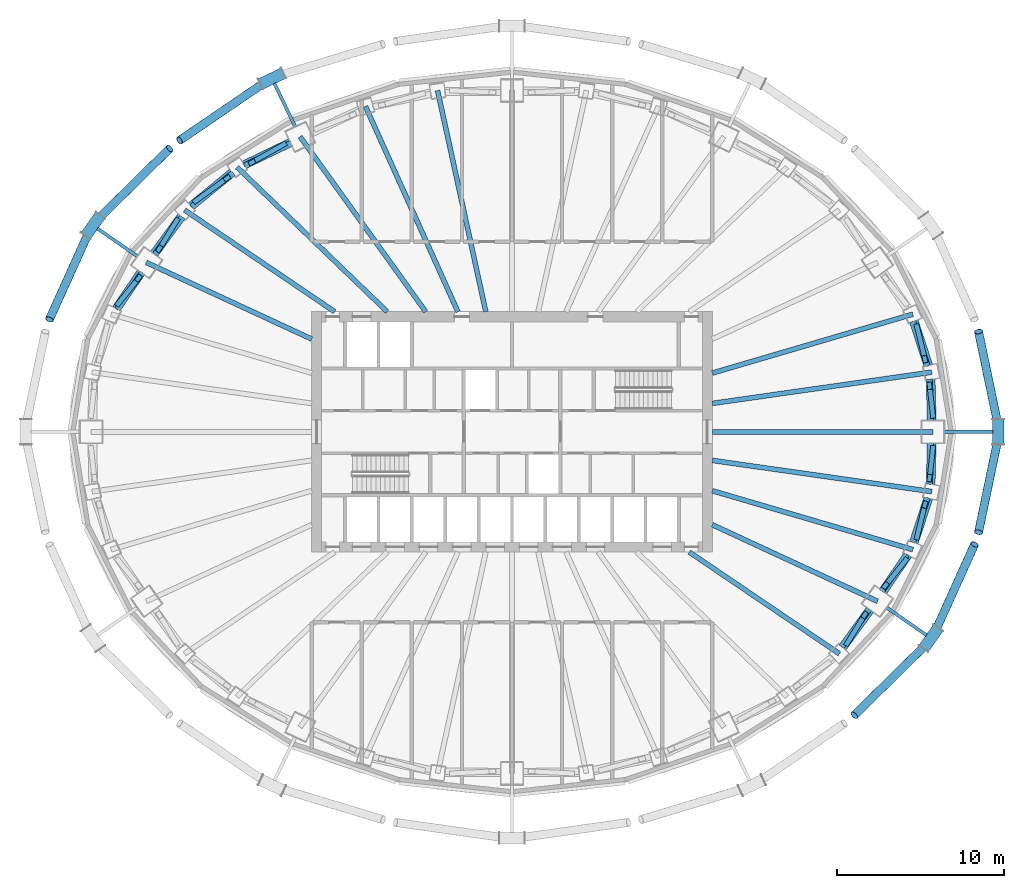
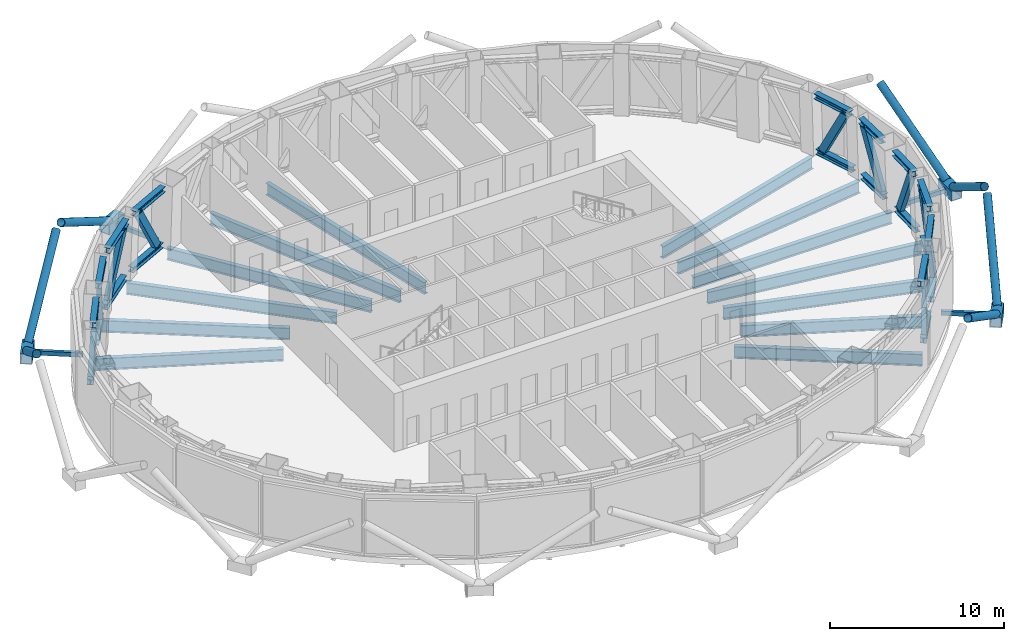
# One storey, part 3 of 18: 33 beams, 25 members.
"""IFC4 building model written with IfcOpenShell, lengths in metres."""

from ifc_helpers import new_model, si_unit, direction, frame, origin, origin_2d, place, context, subcontext, project, spatial, hollow_rectangle, hollow_circle, i_section, extrude, material, material_profile, profile_set, type_object, element, save


model = new_model("IFC4")

# Units and contexts
model_context = context("Model", 3, precision=1e-05, world=origin(), true_north=direction((0.0, 1.0)))
body_context = subcontext(model_context, "Body", "Model", "MODEL_VIEW")
ifc_project = project(units=[si_unit("LENGTHUNIT", "METRE"), si_unit("AREAUNIT", "SQUARE_METRE"), si_unit("VOLUMEUNIT", "CUBIC_METRE"), si_unit("PLANEANGLEUNIT", "RADIAN"), si_unit("MASSUNIT", "GRAM", prefix="KILO")], contexts=[model_context])

# Site, building, storey
site_placement = place(None, origin())
site = spatial("IfcSite", under=ifc_project, at=site_placement, CompositionType="ELEMENT")
building_placement = place(site_placement, origin())
building = spatial("IfcBuilding", under=site, at=building_placement, Name="Siaravel Broadcast Tower", CompositionType="ELEMENT")
storey_placement = place(building_placement, frame((0.0, 0.0, 92.60009765625)))
storey = spatial("IfcBuildingStorey", under=building, at=storey_placement, Name="L21", CompositionType="ELEMENT", Elevation=92.60009765625)

# Beams
ifc_material_1 = material(Name="Steel S355", Category="steel")
ifc_material_profile_1 = material_profile(ifc_material_1, i_section(OverallWidth=0.291748046875, OverallDepth=0.8349609375, WebThickness=0.013916015625, FlangeThickness=0.018798828125, FilletRadius=0.017822265625, at=origin_2d()))
ifc_profile_set_1 = profile_set([ifc_material_profile_1], Name="Steel S355")
beam_type_1 = type_object("IfcBeamType", Name="BM-UB 838x292x176", PredefinedType="BEAM", material=ifc_profile_set_1)
beam_1_placement = place(storey_placement, frame((25.2373046875, 0.0, -0.817626953125), z_axis=(-1.0, 0.0, 0.0), x_axis=(0.0, -1.0, 0.0)))
element("IfcBeam", 1, at=beam_1_placement, inside=storey, type_object=beam_type_1, Name="Radial beam RB01", PredefinedType="BEAM", context=body_context, shape_type="SweptSolid", body=[
    extrude(i_section(OverallWidth=0.291748046875, OverallDepth=0.8349609375, WebThickness=0.013916015625, FlangeThickness=0.018798828125, FilletRadius=0.017822265625, at=origin_2d()), origin(), (0.0, 0.0, 1.0), 13.2373046875),
])
beam_2_placement = place(storey_placement, frame((25.155029296875, 3.577880859375, -0.817626953125), z_axis=(-0.990035666, -0.140816832, 0.0), x_axis=(0.140816832, -0.990035666, 0.0)))
element("IfcBeam", 2, at=beam_2_placement, inside=storey, type_object=beam_type_1, Name="Radial beam RB02", PredefinedType="BEAM", context=body_context, shape_type="SweptSolid", body=[
    extrude(i_section(OverallWidth=0.291748046875, OverallDepth=0.8349609375, WebThickness=0.013916015625, FlangeThickness=0.018798828125, FilletRadius=0.017822265625, at=origin_2d()), origin(), (0.0, 0.0, 1.0), 13.287353515625),
])
beam_3_placement = place(storey_placement, frame((24.017822265625, 7.0537109375, -0.817626953125), z_axis=(-0.959475922, -0.281790623, 0.0), x_axis=(0.281790623, -0.959475922, 0.0)))
element("IfcBeam", 3, at=beam_3_placement, inside=storey, type_object=beam_type_1, Name="Radial beam RB03", PredefinedType="BEAM", context=body_context, shape_type="SweptSolid", body=[
    extrude(i_section(OverallWidth=0.291748046875, OverallDepth=0.8349609375, WebThickness=0.013916015625, FlangeThickness=0.018798828125, FilletRadius=0.017822265625, at=origin_2d()), origin(), (0.0, 0.0, 1.0), 12.525390625),
])
beam_4_placement = place(storey_placement, frame((-4.458984375, 20.45361328125, -0.817626953125), z_axis=(0.213004955, -0.977051119, 0.0), x_axis=(0.977051119, 0.213004955, 0.0)))
element("IfcBeam", 4, at=beam_4_placement, inside=storey, type_object=beam_type_1, Name="Radial beam RB11", PredefinedType="BEAM", context=body_context, shape_type="SweptSolid", body=[
    extrude(i_section(OverallWidth=0.291748046875, OverallDepth=0.8349609375, WebThickness=0.013916015625, FlangeThickness=0.018798828125, FilletRadius=0.017822265625, at=origin_2d()), origin(), (0.0, 0.0, 1.0), 13.56494140625),
])
beam_5_placement = place(storey_placement, frame((-8.779296875, 19.505615234375, -0.817626953125), z_axis=(0.410427866, -0.911893068, 0.0), x_axis=(0.911893068, 0.410427866, 0.0)))
element("IfcBeam", 5, at=beam_5_placement, inside=storey, type_object=beam_type_1, Name="Radial beam RB12", PredefinedType="BEAM", context=body_context, shape_type="SweptSolid", body=[
    extrude(i_section(OverallWidth=0.291748046875, OverallDepth=0.8349609375, WebThickness=0.013916015625, FlangeThickness=0.018798828125, FilletRadius=0.017822265625, at=origin_2d()), origin(), (0.0, 0.0, 1.0), 13.49462890625),
])
beam_6_placement = place(storey_placement, frame((-12.698486328125, 17.688720703125, -0.817626953125), z_axis=(0.58317543, -0.812346243, 0.0), x_axis=(0.812346243, 0.58317543, 0.0)))
element("IfcBeam", 6, at=beam_6_placement, inside=storey, type_object=beam_type_1, Name="Radial beam RB13", PredefinedType="BEAM", context=body_context, shape_type="SweptSolid", body=[
    extrude(i_section(OverallWidth=0.291748046875, OverallDepth=0.8349609375, WebThickness=0.013916015625, FlangeThickness=0.018798828125, FilletRadius=0.017822265625, at=origin_2d()), origin(), (0.0, 0.0, 1.0), 12.91162109375),
])
beam_7_placement = place(storey_placement, frame((-16.476318359375, 15.86669921875, -0.817626953125), z_axis=(0.720307557, -0.69365483, 0.0), x_axis=(0.69365483, 0.720307557, 0.0)))
element("IfcBeam", 7, at=beam_7_placement, inside=storey, type_object=beam_type_1, Name="Radial beam RB14", PredefinedType="BEAM", context=body_context, shape_type="SweptSolid", body=[
    extrude(i_section(OverallWidth=0.291748046875, OverallDepth=0.8349609375, WebThickness=0.013916015625, FlangeThickness=0.018798828125, FilletRadius=0.017822265625, at=origin_2d()), origin(), (0.0, 0.0, 1.0), 12.494384765625),
])
beam_8_placement = place(storey_placement, frame((-19.61669921875, 13.29443359375, -0.817626953125), z_axis=(0.827804556, -0.561016592, 0.0), x_axis=(0.561016592, 0.827804556, 0.0)))
element("IfcBeam", 8, at=beam_8_placement, inside=storey, type_object=beam_type_1, Name="Radial beam RB15", PredefinedType="BEAM", context=body_context, shape_type="SweptSolid", body=[
    extrude(i_section(OverallWidth=0.291748046875, OverallDepth=0.8349609375, WebThickness=0.013916015625, FlangeThickness=0.018798828125, FilletRadius=0.017822265625, at=origin_2d()), origin(), (0.0, 0.0, 1.0), 10.86328125),
])
beam_9_placement = place(storey_placement, frame((-21.90966796875, 10.15283203125, -0.817626953125), z_axis=(0.907319134, -0.420442611, 0.0), x_axis=(0.420442611, 0.907319134, 0.0)))
element("IfcBeam", 9, at=beam_9_placement, inside=storey, type_object=beam_type_1, Name="Radial beam RB16", PredefinedType="BEAM", context=body_context, shape_type="SweptSolid", body=[
    extrude(i_section(OverallWidth=0.291748046875, OverallDepth=0.8349609375, WebThickness=0.013916015625, FlangeThickness=0.018798828125, FilletRadius=0.017822265625, at=origin_2d()), origin(), (0.0, 0.0, 1.0), 10.921875),
])
beam_10_placement = place(storey_placement, frame((19.61669921875, -13.29443359375, -0.817626953125), z_axis=(-0.827804556, 0.561016592, 0.0), x_axis=(-0.561016592, -0.827804556, 0.0)))
element("IfcBeam", 10, at=beam_10_placement, inside=storey, type_object=beam_type_1, Name="Radial beam RB33", PredefinedType="BEAM", context=body_context, shape_type="SweptSolid", body=[
    extrude(i_section(OverallWidth=0.291748046875, OverallDepth=0.8349609375, WebThickness=0.013916015625, FlangeThickness=0.018798828125, FilletRadius=0.017822265625, at=origin_2d()), origin(), (0.0, 0.0, 1.0), 10.86328125),
])
beam_11_placement = place(storey_placement, frame((21.90966796875, -10.15283203125, -0.817626953125), z_axis=(-0.907319134, 0.420442611, 0.0), x_axis=(-0.420442611, -0.907319134, 0.0)))
element("IfcBeam", 11, at=beam_11_placement, inside=storey, type_object=beam_type_1, Name="Radial beam RB34", PredefinedType="BEAM", context=body_context, shape_type="SweptSolid", body=[
    extrude(i_section(OverallWidth=0.291748046875, OverallDepth=0.8349609375, WebThickness=0.013916015625, FlangeThickness=0.018798828125, FilletRadius=0.017822265625, at=origin_2d()), origin(), (0.0, 0.0, 1.0), 10.921875),
])
beam_12_placement = place(storey_placement, frame((24.017822265625, -7.0537109375, -0.817626953125), z_axis=(-0.959475922, 0.281790623, 0.0), x_axis=(-0.281790623, -0.959475922, 0.0)))
element("IfcBeam", 12, at=beam_12_placement, inside=storey, type_object=beam_type_1, Name="Radial beam RB35", PredefinedType="BEAM", context=body_context, shape_type="SweptSolid", body=[
    extrude(i_section(OverallWidth=0.291748046875, OverallDepth=0.8349609375, WebThickness=0.013916015625, FlangeThickness=0.018798828125, FilletRadius=0.017822265625, at=origin_2d()), origin(), (0.0, 0.0, 1.0), 12.525390625),
])
beam_13_placement = place(storey_placement, frame((25.155029296875, -3.577880859375, -0.817626953125), z_axis=(-0.990035666, 0.140816832, 0.0), x_axis=(-0.140816832, -0.990035666, 0.0)))
element("IfcBeam", 13, at=beam_13_placement, inside=storey, type_object=beam_type_1, Name="Radial beam RB36", PredefinedType="BEAM", context=body_context, shape_type="SweptSolid", body=[
    extrude(i_section(OverallWidth=0.291748046875, OverallDepth=0.8349609375, WebThickness=0.013916015625, FlangeThickness=0.018798828125, FilletRadius=0.017822265625, at=origin_2d()), origin(), (0.0, 0.0, 1.0), 13.287353515625),
])
ifc_material_2 = material(Name="Steel S460", Category="steel")
ifc_material_profile_2 = material_profile(ifc_material_2, i_section(OverallWidth=0.374755859375, OverallDepth=0.37451171875, WebThickness=0.0166015625, FlangeThickness=0.027099609375, FilletRadius=0.01513671875, at=origin_2d()))
ifc_profile_set_2 = profile_set([ifc_material_profile_2], Name="Steel S460")
beam_type_2 = type_object("IfcBeamType", Name="Belt truss chord UC 356x368x202", PredefinedType="BEAM", material=ifc_profile_set_2)
beam_14_placement = place(storey_placement, frame((25.221923828125, 0.669921875, 0.187255859375), z_axis=(-0.022955386, 0.99973649, 0.0), x_axis=(-0.99973649, -0.022955386, 0.0)))
element("IfcBeam", 14, at=beam_14_placement, inside=storey, type_object=beam_type_2, Name="Belt truss 1 bottom chord 01", PredefinedType="BEAM", context=body_context, shape_type="SweptSolid", body=[
    extrude(i_section(OverallWidth=0.374755859375, OverallDepth=0.37451171875, WebThickness=0.0166015625, FlangeThickness=0.027099609375, FilletRadius=0.01513671875, at=origin_2d()), origin(), (0.0, 0.0, 1.0), 2.48876953125),
])
beam_15_placement = place(storey_placement, frame((25.06640625, 0.669921875, 4.16259765625), z_axis=(-0.022469573, 0.999747527, 0.0), x_axis=(-0.999747527, -0.022469573, 0.0)))
element("IfcBeam", 15, at=beam_15_placement, inside=storey, type_object=beam_type_2, Name="Belt truss 1 top chord 01", PredefinedType="BEAM", context=body_context, shape_type="SweptSolid", body=[
    extrude(i_section(OverallWidth=0.374755859375, OverallDepth=0.37451171875, WebThickness=0.0166015625, FlangeThickness=0.027099609375, FilletRadius=0.01513671875, at=origin_2d()), origin(), (0.0, 0.0, 1.0), 2.466552734375),
])
beam_16_placement = place(storey_placement, frame((25.0244140625, 3.97705078125, 0.187255859375), z_axis=(-0.310970738, 0.950419486, 0.0), x_axis=(-0.950419486, -0.310970738, 0.0)))
element("IfcBeam", 16, at=beam_16_placement, inside=storey, type_object=beam_type_2, Name="Belt truss 1 bottom chord 02", PredefinedType="BEAM", context=body_context, shape_type="SweptSolid", body=[
    extrude(i_section(OverallWidth=0.374755859375, OverallDepth=0.37451171875, WebThickness=0.0166015625, FlangeThickness=0.027099609375, FilletRadius=0.01513671875, at=origin_2d()), origin(), (0.0, 0.0, 1.0), 2.81689453125),
])
beam_17_placement = place(storey_placement, frame((24.87109375, 3.954833984375, 4.16259765625), z_axis=(-0.310928582, 0.950433279, 0.0), x_axis=(-0.950433279, -0.310928582, 0.0)))
element("IfcBeam", 17, at=beam_17_placement, inside=storey, type_object=beam_type_2, Name="Belt truss 1 top chord 02", PredefinedType="BEAM", context=body_context, shape_type="SweptSolid", body=[
    extrude(i_section(OverallWidth=0.374755859375, OverallDepth=0.37451171875, WebThickness=0.0166015625, FlangeThickness=0.027099609375, FilletRadius=0.01513671875, at=origin_2d()), origin(), (0.0, 0.0, 1.0), 2.79443359375),
])
beam_18_placement = place(storey_placement, frame((-13.302001953125, 17.397705078125, 0.187255859375), z_axis=(-0.900722523, -0.434394909, 0.0), x_axis=(0.434394909, -0.900722523, 0.0)))
element("IfcBeam", 18, at=beam_18_placement, inside=storey, type_object=beam_type_2, Name="Belt truss 1 bottom chord 13", PredefinedType="BEAM", context=body_context, shape_type="SweptSolid", body=[
    extrude(i_section(OverallWidth=0.374755859375, OverallDepth=0.37451171875, WebThickness=0.0166015625, FlangeThickness=0.027099609375, FilletRadius=0.01513671875, at=origin_2d()), origin(), (0.0, 0.0, 1.0), 3.10400390625),
])
beam_19_placement = place(storey_placement, frame((-13.22412109375, 17.287353515625, 4.16259765625), z_axis=(-0.900928179, -0.433968221, 0.0), x_axis=(0.433968221, -0.900928179, 0.0)))
element("IfcBeam", 19, at=beam_19_placement, inside=storey, type_object=beam_type_2, Name="Belt truss 1 top chord 13", PredefinedType="BEAM", context=body_context, shape_type="SweptSolid", body=[
    extrude(i_section(OverallWidth=0.374755859375, OverallDepth=0.37451171875, WebThickness=0.0166015625, FlangeThickness=0.027099609375, FilletRadius=0.01513671875, at=origin_2d()), origin(), (0.0, 0.0, 1.0), 3.078369140625),
])
beam_20_placement = place(storey_placement, frame((-16.801025390625, 15.6005859375, 0.187255859375), z_axis=(-0.77362609, -0.633642385, 0.0), x_axis=(0.633642385, -0.77362609, 0.0)))
element("IfcBeam", 20, at=beam_20_placement, inside=storey, type_object=beam_type_2, Name="Belt truss 1 bottom chord 14", PredefinedType="BEAM", context=body_context, shape_type="SweptSolid", body=[
    extrude(i_section(OverallWidth=0.374755859375, OverallDepth=0.37451171875, WebThickness=0.0166015625, FlangeThickness=0.027099609375, FilletRadius=0.01513671875, at=origin_2d()), origin(), (0.0, 0.0, 1.0), 3.219482421875),
])
beam_21_placement = place(storey_placement, frame((-16.700927734375, 15.5029296875, 4.16259765625), z_axis=(-0.77363035, -0.633637185, 0.0), x_axis=(0.633637185, -0.77363035, 0.0)))
element("IfcBeam", 21, at=beam_21_placement, inside=storey, type_object=beam_type_2, Name="Belt truss 1 top chord 14", PredefinedType="BEAM", context=body_context, shape_type="SweptSolid", body=[
    extrude(i_section(OverallWidth=0.374755859375, OverallDepth=0.37451171875, WebThickness=0.0166015625, FlangeThickness=0.027099609375, FilletRadius=0.01513671875, at=origin_2d()), origin(), (0.0, 0.0, 1.0), 3.19482421875),
])
beam_22_placement = place(storey_placement, frame((-19.8642578125, 12.955322265625, 0.187255859375), z_axis=(-0.589539817, -0.807739317, 0.0), x_axis=(0.807739317, -0.589539817, 0.0)))
element("IfcBeam", 22, at=beam_22_placement, inside=storey, type_object=beam_type_2, Name="Belt truss 1 bottom chord 15", PredefinedType="BEAM", context=body_context, shape_type="SweptSolid", body=[
    extrude(i_section(OverallWidth=0.374755859375, OverallDepth=0.37451171875, WebThickness=0.0166015625, FlangeThickness=0.027099609375, FilletRadius=0.01513671875, at=origin_2d()), origin(), (0.0, 0.0, 1.0), 2.799560546875),
])
beam_23_placement = place(storey_placement, frame((-19.744873046875, 12.873046875, 4.16259765625), z_axis=(-0.589206855, -0.807982229, 0.0), x_axis=(0.807982229, -0.589206855, 0.0)))
element("IfcBeam", 23, at=beam_23_placement, inside=storey, type_object=beam_type_2, Name="Belt truss 1 top chord 15", PredefinedType="BEAM", context=body_context, shape_type="SweptSolid", body=[
    extrude(i_section(OverallWidth=0.374755859375, OverallDepth=0.37451171875, WebThickness=0.0166015625, FlangeThickness=0.027099609375, FilletRadius=0.01513671875, at=origin_2d()), origin(), (0.0, 0.0, 1.0), 2.775390625),
])
beam_24_placement = place(storey_placement, frame((-22.28662109375, 9.598876953125, 0.187255859375), z_axis=(-0.562433106, -0.826842791, 0.0), x_axis=(0.826842791, -0.562433106, 0.0)))
element("IfcBeam", 24, at=beam_24_placement, inside=storey, type_object=beam_type_2, Name="Belt truss 1 bottom chord 16", PredefinedType="BEAM", context=body_context, shape_type="SweptSolid", body=[
    extrude(i_section(OverallWidth=0.374755859375, OverallDepth=0.37451171875, WebThickness=0.0166015625, FlangeThickness=0.027099609375, FilletRadius=0.01513671875, at=origin_2d()), origin(), (0.0, 0.0, 1.0), 2.658203125),
])
beam_25_placement = place(storey_placement, frame((-22.15185546875, 9.535400390625, 4.16259765625), z_axis=(-0.562882554, -0.82653689, 0.0), x_axis=(0.82653689, -0.562882554, 0.0)))
element("IfcBeam", 25, at=beam_25_placement, inside=storey, type_object=beam_type_2, Name="Belt truss 1 top chord 16", PredefinedType="BEAM", context=body_context, shape_type="SweptSolid", body=[
    extrude(i_section(OverallWidth=0.374755859375, OverallDepth=0.37451171875, WebThickness=0.0166015625, FlangeThickness=0.027099609375, FilletRadius=0.01513671875, at=origin_2d()), origin(), (0.0, 0.0, 1.0), 2.63525390625),
])
beam_26_placement = place(storey_placement, frame((19.8642578125, -12.955322265625, 0.187255859375), z_axis=(0.589539817, 0.807739317, 0.0), x_axis=(-0.807739317, 0.589539817, 0.0)))
element("IfcBeam", 26, at=beam_26_placement, inside=storey, type_object=beam_type_2, Name="Belt truss 1 bottom chord 33", PredefinedType="BEAM", context=body_context, shape_type="SweptSolid", body=[
    extrude(i_section(OverallWidth=0.374755859375, OverallDepth=0.37451171875, WebThickness=0.0166015625, FlangeThickness=0.027099609375, FilletRadius=0.01513671875, at=origin_2d()), origin(), (0.0, 0.0, 1.0), 2.799560546875),
])
beam_27_placement = place(storey_placement, frame((19.744873046875, -12.873046875, 4.16259765625), z_axis=(0.589206855, 0.807982229, 0.0), x_axis=(-0.807982229, 0.589206855, 0.0)))
element("IfcBeam", 27, at=beam_27_placement, inside=storey, type_object=beam_type_2, Name="Belt truss 1 top chord 33", PredefinedType="BEAM", context=body_context, shape_type="SweptSolid", body=[
    extrude(i_section(OverallWidth=0.374755859375, OverallDepth=0.37451171875, WebThickness=0.0166015625, FlangeThickness=0.027099609375, FilletRadius=0.01513671875, at=origin_2d()), origin(), (0.0, 0.0, 1.0), 2.775390625),
])
beam_28_placement = place(storey_placement, frame((22.28662109375, -9.598876953125, 0.187255859375), z_axis=(0.562433106, 0.826842791, 0.0), x_axis=(-0.826842791, 0.562433106, 0.0)))
element("IfcBeam", 28, at=beam_28_placement, inside=storey, type_object=beam_type_2, Name="Belt truss 1 bottom chord 34", PredefinedType="BEAM", context=body_context, shape_type="SweptSolid", body=[
    extrude(i_section(OverallWidth=0.374755859375, OverallDepth=0.37451171875, WebThickness=0.0166015625, FlangeThickness=0.027099609375, FilletRadius=0.01513671875, at=origin_2d()), origin(), (0.0, 0.0, 1.0), 2.658203125),
])
beam_29_placement = place(storey_placement, frame((22.15185546875, -9.535400390625, 4.16259765625), z_axis=(0.562882554, 0.82653689, 0.0), x_axis=(-0.82653689, 0.562882554, 0.0)))
element("IfcBeam", 29, at=beam_29_placement, inside=storey, type_object=beam_type_2, Name="Belt truss 1 top chord 34", PredefinedType="BEAM", context=body_context, shape_type="SweptSolid", body=[
    extrude(i_section(OverallWidth=0.374755859375, OverallDepth=0.37451171875, WebThickness=0.0166015625, FlangeThickness=0.027099609375, FilletRadius=0.01513671875, at=origin_2d()), origin(), (0.0, 0.0, 1.0), 2.63525390625),
])
beam_30_placement = place(storey_placement, frame((24.1484375, -6.654296875, 0.187255859375), z_axis=(0.310970738, 0.950419486, 0.0), x_axis=(-0.950419486, 0.310970738, 0.0)))
element("IfcBeam", 30, at=beam_30_placement, inside=storey, type_object=beam_type_2, Name="Belt truss 1 bottom chord 35", PredefinedType="BEAM", context=body_context, shape_type="SweptSolid", body=[
    extrude(i_section(OverallWidth=0.374755859375, OverallDepth=0.37451171875, WebThickness=0.0166015625, FlangeThickness=0.027099609375, FilletRadius=0.01513671875, at=origin_2d()), origin(), (0.0, 0.0, 1.0), 2.81689453125),
])
beam_31_placement = place(storey_placement, frame((24.002197265625, -6.61083984375, 4.16259765625), z_axis=(0.310928582, 0.950433279, 0.0), x_axis=(-0.950433279, 0.310928582, 0.0)))
element("IfcBeam", 31, at=beam_31_placement, inside=storey, type_object=beam_type_2, Name="Belt truss 1 top chord 35", PredefinedType="BEAM", context=body_context, shape_type="SweptSolid", body=[
    extrude(i_section(OverallWidth=0.374755859375, OverallDepth=0.37451171875, WebThickness=0.0166015625, FlangeThickness=0.027099609375, FilletRadius=0.01513671875, at=origin_2d()), origin(), (0.0, 0.0, 1.0), 2.79443359375),
])
beam_32_placement = place(storey_placement, frame((25.164794921875, -3.157958984375, 0.187255859375), z_axis=(0.022955386, 0.99973649, 0.0), x_axis=(-0.99973649, 0.022955386, 0.0)))
element("IfcBeam", 32, at=beam_32_placement, inside=storey, type_object=beam_type_2, Name="Belt truss 1 bottom chord 36", PredefinedType="BEAM", context=body_context, shape_type="SweptSolid", body=[
    extrude(i_section(OverallWidth=0.374755859375, OverallDepth=0.37451171875, WebThickness=0.0166015625, FlangeThickness=0.027099609375, FilletRadius=0.01513671875, at=origin_2d()), origin(), (0.0, 0.0, 1.0), 2.48876953125),
])
beam_33_placement = place(storey_placement, frame((25.010986328125, -3.1357421875, 4.16259765625), z_axis=(0.022469573, 0.999747527, 0.0), x_axis=(-0.999747527, 0.022469573, 0.0)))
element("IfcBeam", 33, at=beam_33_placement, inside=storey, type_object=beam_type_2, Name="Belt truss 1 top chord 36", PredefinedType="BEAM", context=body_context, shape_type="SweptSolid", body=[
    extrude(i_section(OverallWidth=0.374755859375, OverallDepth=0.37451171875, WebThickness=0.0166015625, FlangeThickness=0.027099609375, FilletRadius=0.01513671875, at=origin_2d()), origin(), (0.0, 0.0, 1.0), 2.466552734375),
])

# Members
ifc_material_profile_3 = material_profile(ifc_material_2, hollow_rectangle(XDim=0.300048828125, YDim=0.5, WallThickness=0.01611328125, at=origin_2d()))
ifc_profile_set_3 = profile_set([ifc_material_profile_3], Name="Steel S460")
member_type_1 = type_object("IfcMemberType", Name="Belt truss web RHS 500x300x16", PredefinedType="BRACE", material=ifc_profile_set_3)
member_1_placement = place(storey_placement, frame((25.21337890625, 1.04296875, 0.344482421875), z_axis=(-0.047915629, 0.425334083, 0.903767122), x_axis=(-0.993714292, -0.111945992, 0.0)))
element("IfcMember", 34, at=member_1_placement, inside=storey, type_object=member_type_1, Name="Belt truss 1 web 01", PredefinedType="BRACE", context=body_context, shape_type="SweptSolid", body=[
    extrude(hollow_rectangle(XDim=0.300048828125, YDim=0.5, WallThickness=0.01611328125, at=origin_2d()), origin(), (0.0, 0.0, 1.0), 4.05078125),
])
member_2_placement = place(storey_placement, frame((24.27978515625, 6.252685546875, 0.344482421875), z_axis=(0.111069783, -0.457692221, 0.882145869), x_axis=(0.971794612, 0.235828821, 0.0)))
element("IfcMember", 35, at=member_2_placement, inside=storey, type_object=member_type_1, Name="Belt truss 1 web 02", PredefinedType="BRACE", context=body_context, shape_type="SweptSolid", body=[
    extrude(hollow_rectangle(XDim=0.300048828125, YDim=0.5, WallThickness=0.01611328125, at=origin_2d()), origin(), (0.0, 0.0, 1.0), 4.14990234375),
])
member_3_placement = place(storey_placement, frame((-13.72119140625, 17.1953125, 0.344482421875), z_axis=(-0.439070907, -0.24632915, 0.864024704), x_axis=(0.489282824, -0.872125174, 0.0)))
element("IfcMember", 36, at=member_3_placement, inside=storey, type_object=member_type_1, Name="Belt truss 1 web 13", PredefinedType="BRACE", context=body_context, shape_type="SweptSolid", body=[
    extrude(hollow_rectangle(XDim=0.300048828125, YDim=0.5, WallThickness=0.01611328125, at=origin_2d()), origin(), (0.0, 0.0, 1.0), 4.237060546875),
])
member_4_placement = place(storey_placement, frame((-18.918212890625, 13.86669921875, 0.344482421875), z_axis=(0.428281243, 0.309078279, 0.849144154), x_axis=(-0.585196916, 0.810891219, 0.0)))
element("IfcMember", 37, at=member_4_placement, inside=storey, type_object=member_type_1, Name="Belt truss 1 web 14", PredefinedType="BRACE", context=body_context, shape_type="SweptSolid", body=[
    extrude(hollow_rectangle(XDim=0.300048828125, YDim=0.5, WallThickness=0.01611328125, at=origin_2d()), origin(), (0.0, 0.0, 1.0), 4.311279296875),
])
member_5_placement = place(storey_placement, frame((-20.11181640625, 12.6162109375, 0.344482421875), z_axis=(-0.246876834, -0.398066799, 0.883512678), x_axis=(0.849830576, -0.527055967, 0.0)))
element("IfcMember", 38, at=member_5_placement, inside=storey, type_object=member_type_1, Name="Belt truss 1 web 15", PredefinedType="BRACE", context=body_context, shape_type="SweptSolid", body=[
    extrude(hollow_rectangle(XDim=0.300048828125, YDim=0.5, WallThickness=0.01611328125, at=origin_2d()), origin(), (0.0, 0.0, 1.0), 4.1435546875),
])
member_6_placement = place(storey_placement, frame((-23.557373046875, 7.730712890625, 0.344482421875), z_axis=(0.287011733, 0.358572141, 0.888285024), x_axis=(-0.780705201, 0.624899504, 0.0)))
element("IfcMember", 39, at=member_6_placement, inside=storey, type_object=member_type_1, Name="Belt truss 1 web 16", PredefinedType="BRACE", context=body_context, shape_type="SweptSolid", body=[
    extrude(hollow_rectangle(XDim=0.300048828125, YDim=0.5, WallThickness=0.01611328125, at=origin_2d()), origin(), (0.0, 0.0, 1.0), 4.121337890625),
])
member_7_placement = place(storey_placement, frame((20.11181640625, -12.6162109375, 0.344482421875), z_axis=(0.246876834, 0.398066799, 0.883512678), x_axis=(-0.849830576, 0.527055967, 0.0)))
element("IfcMember", 40, at=member_7_placement, inside=storey, type_object=member_type_1, Name="Belt truss 1 web 33", PredefinedType="BRACE", context=body_context, shape_type="SweptSolid", body=[
    extrude(hollow_rectangle(XDim=0.300048828125, YDim=0.5, WallThickness=0.01611328125, at=origin_2d()), origin(), (0.0, 0.0, 1.0), 4.1435546875),
])
member_8_placement = place(storey_placement, frame((23.557373046875, -7.730712890625, 0.344482421875), z_axis=(-0.287011733, -0.358572141, 0.888285024), x_axis=(0.780705201, -0.624899504, 0.0)))
element("IfcMember", 41, at=member_8_placement, inside=storey, type_object=member_type_1, Name="Belt truss 1 web 34", PredefinedType="BRACE", context=body_context, shape_type="SweptSolid", body=[
    extrude(hollow_rectangle(XDim=0.300048828125, YDim=0.5, WallThickness=0.01611328125, at=origin_2d()), origin(), (0.0, 0.0, 1.0), 4.121337890625),
])
member_9_placement = place(storey_placement, frame((24.27978515625, -6.252685546875, 0.344482421875), z_axis=(0.111069783, 0.457692221, 0.882145869), x_axis=(-0.971794612, 0.235828821, 0.0)))
element("IfcMember", 42, at=member_9_placement, inside=storey, type_object=member_type_1, Name="Belt truss 1 web 35", PredefinedType="BRACE", context=body_context, shape_type="SweptSolid", body=[
    extrude(hollow_rectangle(XDim=0.300048828125, YDim=0.5, WallThickness=0.01611328125, at=origin_2d()), origin(), (0.0, 0.0, 1.0), 4.14990234375),
])
member_10_placement = place(storey_placement, frame((25.21337890625, -1.04296875, 0.344482421875), z_axis=(-0.047915629, -0.425334083, 0.903767122), x_axis=(0.993714292, -0.111945992, 0.0)))
element("IfcMember", 43, at=member_10_placement, inside=storey, type_object=member_type_1, Name="Belt truss 1 web 36", PredefinedType="BRACE", context=body_context, shape_type="SweptSolid", body=[
    extrude(hollow_rectangle(XDim=0.300048828125, YDim=0.5, WallThickness=0.01611328125, at=origin_2d()), origin(), (0.0, 0.0, 1.0), 4.05078125),
])
ifc_material_profile_4 = material_profile(ifc_material_2, hollow_circle(Radius=0.25390625, WallThickness=0.02001953125, at=origin_2d()))
ifc_profile_set_4 = profile_set([ifc_material_profile_4], Name="Steel S460")
member_type_2 = type_object("IfcMemberType", Name="Diagrid diagonal CHS 508x20", PredefinedType="BRACE", material=ifc_profile_set_4)
for number, where, z_axis, x_axis, name in (
    (44, (29.12939453125, -0.37939453125, 0.119873046875), (-0.169601474, -0.813065593, 0.556919815), (0.97892923, -0.204199811, 0.0), "Diagrid diagonal R09 station 00C"),
    (45, (29.12939453125, 0.37939453125, 0.119873046875), (-0.169601474, 0.813065593, 0.556919815), (-0.97892923, -0.204199811, 0.0), "Diagrid diagonal R09 station 00A"),
):
    element("IfcMember", number, at=place(storey_placement, frame(where, z_axis=z_axis, x_axis=x_axis)), inside=storey, type_object=member_type_2, Name=name, PredefinedType="BRACE", context=body_context, shape_type="SweptSolid", body=[
        extrude(hollow_circle(Radius=0.25390625, WallThickness=0.02001953125, at=origin_2d()), origin(), (0.0, 0.0, 1.0), 6.93115234375),
    ])
member_11_placement = place(storey_placement, frame((-14.71923828125, 21.007568359375, 0.119873046875), z_axis=(-0.704461757, -0.480175097, 0.522652379), x_axis=(0.563224928, -0.826303625, 0.0)))
element("IfcMember", 46, at=member_11_placement, inside=storey, type_object=member_type_2, Name="Diagrid diagonal R09 station 24A", PredefinedType="BRACE", context=body_context, shape_type="SweptSolid", body=[
    extrude(hollow_circle(Radius=0.25390625, WallThickness=0.02001953125, at=origin_2d()), origin(), (0.0, 0.0, 1.0), 7.385498046875),
])
member_12_placement = place(storey_placement, frame((-24.881591796875, 12.67333984375, 0.119873046875), z_axis=(0.603041015, 0.594050454, 0.532396085), x_axis=(-0.701776379, 0.7123973, 0.0)))
element("IfcMember", 47, at=member_12_placement, inside=storey, type_object=member_type_2, Name="Diagrid diagonal R09 station 30C", PredefinedType="BRACE", context=body_context, shape_type="SweptSolid", body=[
    extrude(hollow_circle(Radius=0.25390625, WallThickness=0.02001953125, at=origin_2d()), origin(), (0.0, 0.0, 1.0), 7.25048828125),
])
member_13_placement = place(storey_placement, frame((-25.31884765625, 12.052978515625, 0.119873046875), z_axis=(-0.342967514, -0.760141107, 0.551868447), x_axis=(0.911515389, -0.411265966, 0.0)))
element("IfcMember", 48, at=member_13_placement, inside=storey, type_object=member_type_2, Name="Diagrid diagonal R09 station 30A", PredefinedType="BRACE", context=body_context, shape_type="SweptSolid", body=[
    extrude(hollow_circle(Radius=0.25390625, WallThickness=0.02001953125, at=origin_2d()), origin(), (0.0, 0.0, 1.0), 6.99462890625),
])
member_14_placement = place(storey_placement, frame((24.881591796875, -12.67333984375, 0.119873046875), z_axis=(-0.603041015, -0.594050454, 0.532396085), x_axis=(0.701776379, -0.7123973, 0.0)))
element("IfcMember", 49, at=member_14_placement, inside=storey, type_object=member_type_2, Name="Diagrid diagonal R09 station 66C", PredefinedType="BRACE", context=body_context, shape_type="SweptSolid", body=[
    extrude(hollow_circle(Radius=0.25390625, WallThickness=0.02001953125, at=origin_2d()), origin(), (0.0, 0.0, 1.0), 7.25048828125),
])
member_15_placement = place(storey_placement, frame((25.31884765625, -12.052978515625, 0.119873046875), z_axis=(0.342967514, 0.760141107, 0.551868447), x_axis=(-0.911515389, 0.411265966, 0.0)))
element("IfcMember", 50, at=member_15_placement, inside=storey, type_object=member_type_2, Name="Diagrid diagonal R09 station 66A", PredefinedType="BRACE", context=body_context, shape_type="SweptSolid", body=[
    extrude(hollow_circle(Radius=0.25390625, WallThickness=0.02001953125, at=origin_2d()), origin(), (0.0, 0.0, 1.0), 6.99462890625),
])
ifc_material_profile_5 = material_profile(ifc_material_2, hollow_rectangle(XDim=0.699951171875, YDim=0.699951171875, WallThickness=0.0400390625, at=origin_2d()))
ifc_profile_set_5 = profile_set([ifc_material_profile_5], Name="Steel S460")
member_type_3 = type_object("IfcMemberType", Name="Diagrid node BOX 700x700x40", PredefinedType="USERDEFINED", material=ifc_profile_set_5)
for number, where, z_axis, x_axis, name in (
    (51, (29.12939453125, -0.75341796875, -0.2001953125), (0.0, 1.0, 0.0), (-1.0, 0.0, 0.0), "Diagrid node R09 station 00"),
    (52, (-13.695068359375, 21.49169921875, -0.2001953125), (-0.904060884, -0.427403694, 0.0), (0.427403694, -0.904060884, 0.0), "Diagrid node R09 station 24"),
    (53, (-24.666259765625, 12.97900390625, -0.2001953125), (-0.576015054, -0.817439085, 0.0), (0.817439085, -0.576015054, 0.0), "Diagrid node R09 station 30"),
    (54, (24.666259765625, -12.97900390625, -0.2001953125), (0.576015054, 0.817439085, 0.0), (-0.817439085, 0.576015054, 0.0), "Diagrid node R09 station 66"),
):
    element("IfcMember", number, at=place(storey_placement, frame(where, z_axis=z_axis, x_axis=x_axis)), inside=storey, type_object=member_type_3, Name=name, ObjectType="DIAGRID NODE", PredefinedType="USERDEFINED", context=body_context, shape_type="SweptSolid", body=[
        extrude(hollow_rectangle(XDim=0.699951171875, YDim=0.699951171875, WallThickness=0.0400390625, at=origin_2d()), origin(), (0.0, 0.0, 1.0), 1.5068359375),
    ])
ifc_material_profile_6 = material_profile(ifc_material_2, hollow_rectangle(XDim=0.199951171875, YDim=0.300048828125, WallThickness=0.012451171875, at=origin_2d()))
ifc_profile_set_6 = profile_set([ifc_material_profile_6], Name="Steel S460")
member_type_4 = type_object("IfcMemberType", Name="Diagrid node arm RHS 300x200x12.5", PredefinedType="STRUT", material=ifc_profile_set_6)
member_16_placement = place(storey_placement, frame((25.9072265625, 0.0, -0.2001953125), z_axis=(1.0, 0.0, 0.0), x_axis=(0.0, 1.0, 0.0)))
element("IfcMember", 55, at=member_16_placement, inside=storey, type_object=member_type_4, Name="Node arm R09 station 00", PredefinedType="STRUT", context=body_context, shape_type="SweptSolid", body=[
    extrude(hollow_rectangle(XDim=0.199951171875, YDim=0.300048828125, WallThickness=0.012451171875, at=origin_2d()), origin(), (0.0, 0.0, 1.0), 2.902099609375),
])
member_17_placement = place(storey_placement, frame((-12.9892578125, 18.292236328125, -0.2001953125), z_axis=(-0.434221649, 0.900806061, 0.0), x_axis=(-0.900806061, -0.434221649, 0.0)))
element("IfcMember", 56, at=member_17_placement, inside=storey, type_object=member_type_4, Name="Node arm R09 station 24", PredefinedType="STRUT", context=body_context, shape_type="SweptSolid", body=[
    extrude(hollow_rectangle(XDim=0.199951171875, YDim=0.300048828125, WallThickness=0.012451171875, at=origin_2d()), origin(), (0.0, 0.0, 1.0), 2.874267578125),
])
for number, where, z_axis, x_axis, name in (
    (57, (-22.46044921875, 10.534423828125, -0.2001953125), (-0.822046263, 0.569420707, 0.0), (-0.569420707, -0.822046263, 0.0), "Node arm R09 station 30"),
    (58, (22.46044921875, -10.534423828125, -0.2001953125), (0.822046263, -0.569420707, 0.0), (0.569420707, 0.822046263, 0.0), "Node arm R09 station 66"),
):
    element("IfcMember", number, at=place(storey_placement, frame(where, z_axis=z_axis, x_axis=x_axis)), inside=storey, type_object=member_type_4, Name=name, PredefinedType="STRUT", context=body_context, shape_type="SweptSolid", body=[
        extrude(hollow_rectangle(XDim=0.199951171875, YDim=0.300048828125, WallThickness=0.012451171875, at=origin_2d()), origin(), (0.0, 0.0, 1.0), 2.8916015625),
    ])

save(model, "model.ifc")
